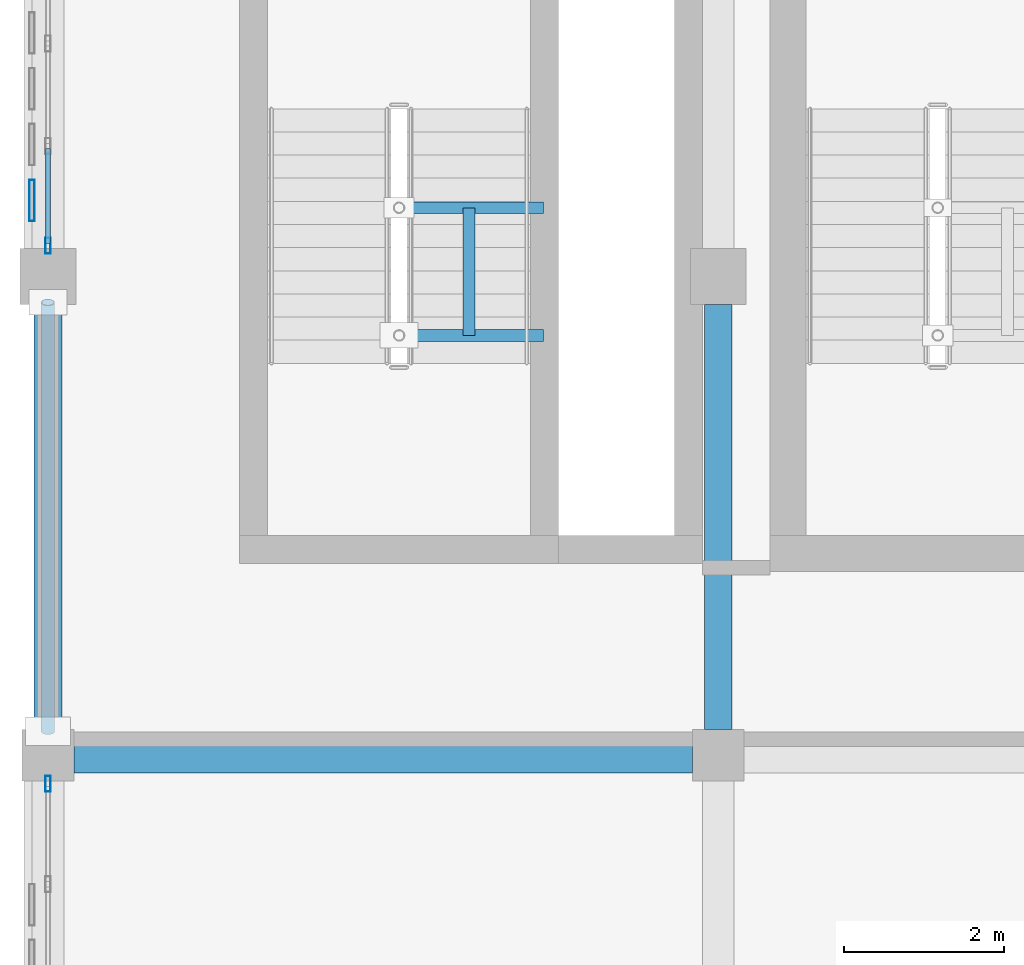
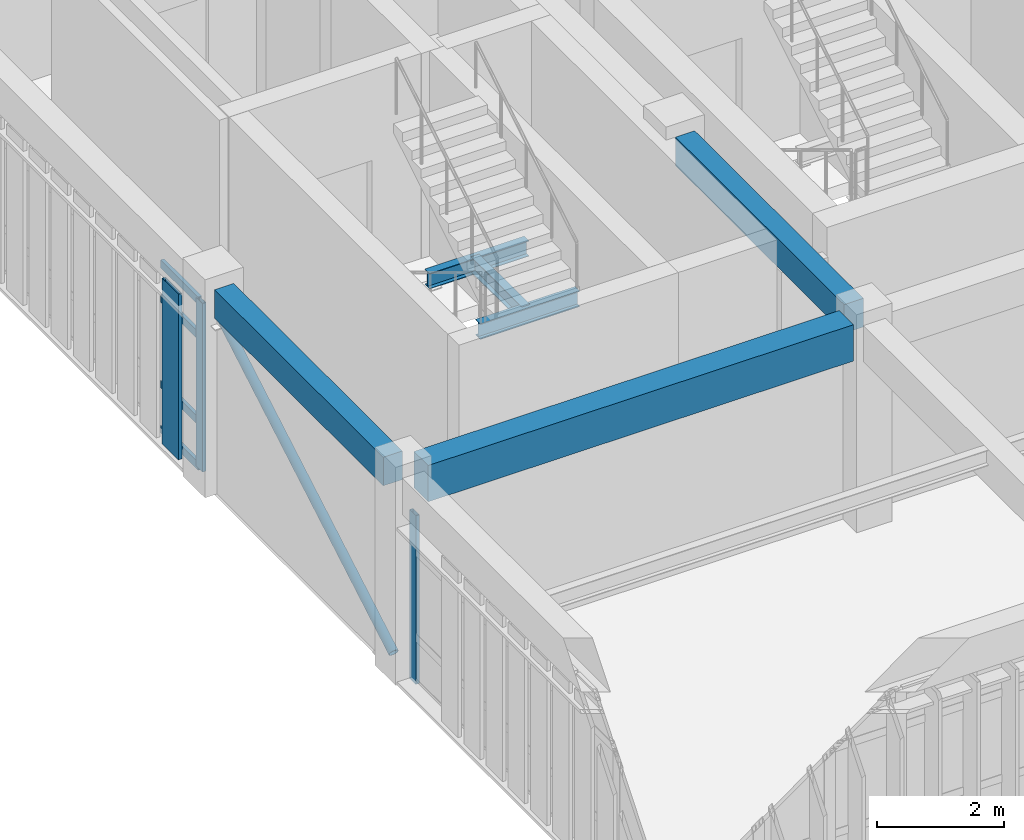
# One storey, part 7 of 23: 8 members, 6 beams, 2 elements without a shape of their own.
"""IFC4 building model written with IfcOpenShell, lengths in metres."""

from ifc_helpers import new_model, si_unit, direction, frame, origin, origin_2d, place, context, subcontext, project, spatial, rectangle, hollow_rectangle, hollow_circle, i_section, extrude, material, layer, layer_set, material_profile, profile_set, type_object, element, aggregate, save


model = new_model("IFC4")

# Units and contexts
model_context = context("Model", 3, precision=1e-05, world=origin(), true_north=direction((0.0, 1.0)))
body_context = subcontext(model_context, "Body", "Model", "MODEL_VIEW")
ifc_project = project(units=[si_unit("LENGTHUNIT", "METRE"), si_unit("AREAUNIT", "SQUARE_METRE"), si_unit("VOLUMEUNIT", "CUBIC_METRE"), si_unit("PLANEANGLEUNIT", "RADIAN"), si_unit("MASSUNIT", "GRAM", prefix="KILO")], contexts=[model_context])

# Site, building, storey
site_placement = place(None, origin())
site = spatial("IfcSite", under=ifc_project, at=site_placement, CompositionType="ELEMENT")
building_placement = place(site_placement, origin())
building = spatial("IfcBuilding", under=site, at=building_placement, Name="Krzemoval Escarpment Law Courts", CompositionType="ELEMENT")
storey_placement = place(building_placement, frame((0.0, 0.0, 33.60009765625)))
storey = spatial("IfcBuildingStorey", under=building, at=storey_placement, Name="L07", CompositionType="ELEMENT", Elevation=33.60009765625)

# Beams
ifc_material_1 = material(Name="Concrete C40/50", Category="concrete")
ifc_material_profile_1 = material_profile(ifc_material_1, rectangle(XDim=0.35009765625, YDim=0.550048828125, at=origin_2d()), Name="RCB 350x550")
ifc_profile_set_1 = profile_set([ifc_material_profile_1], Name="Concrete C40/50")
beam_type_1 = type_object("IfcBeamType", Name="BM-RC-350x550", PredefinedType="BEAM", material=ifc_profile_set_1)
for number, where, z_axis, x_axis, name in (
    (1, (126.0, 93.925048828125, 3.6748046875), (0.0, 1.0, 0.0), (-1.0, 0.0, 0.0), "Beam FG-L07-2715"),
    (2, (134.39990234375, 93.925048828125, 3.6748046875), (0.0, 1.0, 0.0), (-1.0, 0.0, 0.0), "Beam FG-L07-2720"),
):
    element("IfcBeam", number, at=place(storey_placement, frame(where, z_axis=z_axis, x_axis=x_axis)), inside=storey, type_object=beam_type_1, Name=name, PredefinedType="BEAM", context=body_context, shape_type="SweptSolid", body=[
        extrude(rectangle(XDim=0.35009765625, YDim=0.550048828125, at=origin_2d()), origin(), (0.0, 0.0, 1.0), 5.324951171875),
    ])
ifc_material_2 = material(Name="Concrete C40/50", Category="concrete")
ifc_material_profile_2 = material_profile(ifc_material_2, rectangle(XDim=0.449951171875, YDim=0.699951171875, at=origin_2d()), Name="RCB 450x700")
ifc_profile_set_2 = profile_set([ifc_material_profile_2], Name="Concrete C40/50")
beam_type_2 = type_object("IfcBeamType", Name="BM-RC-450x700", PredefinedType="BEAM", material=ifc_profile_set_2)
beam_1_placement = place(storey_placement, frame((126.324951171875, 93.60009765625, 3.599853515625), z_axis=(1.0, 0.0, 0.0), x_axis=(0.0, 1.0, 0.0)))
element("IfcBeam", 3, at=beam_1_placement, inside=storey, type_object=beam_type_2, Name="Beam FG-L07-2695", PredefinedType="BEAM", context=body_context, shape_type="SweptSolid", body=[
    extrude(rectangle(XDim=0.449951171875, YDim=0.699951171875, at=origin_2d()), origin(), (0.0, 0.0, 1.0), 7.75),
])

# Curtain wall, member
ifc_material_3 = material(Name="Aluminium 6063-T6", Category="aluminium")
ifc_layer = layer(ifc_material_3, 0.219970703125)
ifc_layer_set = layer_set([ifc_layer], Name="Aluminium 6063-T6")
curtain_wall_type = type_object("IfcCurtainWallType", Name="CW-CHMB-4200", PredefinedType="USERDEFINED", material=ifc_layer_set)
curtain_wall_1_placement = place(storey_placement, origin())
curtain_wall_1 = element("IfcCurtainWall", 4, at=curtain_wall_1_placement, inside=storey, type_object=curtain_wall_type, Name="Unitised Curtain Wall FCW-L07-155", ObjectType="UNITISED_CURTAIN_WALL", PredefinedType="USERDEFINED")
ifc_material_4 = material(Name="Aluminium 6063-T6", Category="aluminium")
ifc_material_profile_3 = material_profile(ifc_material_4, hollow_rectangle(XDim=0.06494140625, YDim=0.199951171875, WallThickness=0.00439453125, at=origin_2d()), Name="ALU M65x200")
ifc_profile_set_3 = profile_set([ifc_material_profile_3], Name="Aluminium 6063-T6")
member_type_1 = type_object("IfcMemberType", Name="CWM-65x200", PredefinedType="MULLION", material=ifc_profile_set_3)
member_1_placement = place(storey_placement, frame((126.0, 93.242431640625, 0.0), z_axis=(0.0, 0.0, 1.0), x_axis=(-1.0, 0.0, 0.0)))
member_1 = element("IfcMember", 5, at=member_1_placement, type_object=member_type_1, Name="FCW-L07-155 mullion 7", PredefinedType="MULLION", context=body_context, shape_type="SweptSolid", body=[
    extrude(hollow_rectangle(XDim=0.06494140625, YDim=0.199951171875, WallThickness=0.00439453125, at=origin_2d()), origin(), (0.0, 0.0, 1.0), 3.25),
])
aggregate(curtain_wall_1, [member_1])

# Curtain wall, members
curtain_wall_2_placement = place(storey_placement, origin())
curtain_wall_2 = element("IfcCurtainWall", 6, at=curtain_wall_2_placement, inside=storey, type_object=curtain_wall_type, Name="Unitised Curtain Wall FCW-L07-156", ObjectType="UNITISED_CURTAIN_WALL", PredefinedType="USERDEFINED")
member_2_placement = place(storey_placement, frame((126.0, 99.982421875, 0.0), z_axis=(0.0, 0.0, 1.0), x_axis=(-1.0, 0.0, 0.0)))
member_2 = element("IfcMember", 7, at=member_2_placement, type_object=member_type_1, Name="FCW-L07-156 mullion 1", PredefinedType="MULLION", context=body_context, shape_type="SweptSolid", body=[
    extrude(hollow_rectangle(XDim=0.06494140625, YDim=0.199951171875, WallThickness=0.00439453125, at=origin_2d()), origin(), (0.0, 0.0, 1.0), 3.25),
])
ifc_material_5 = material(Name="Aluminium 6063-T6", Category="aluminium")
ifc_material_profile_4 = material_profile(ifc_material_5, hollow_rectangle(XDim=0.06494140625, YDim=0.14990234375, WallThickness=0.00439453125, at=origin_2d()), Name="ALU T65x150")
ifc_profile_set_4 = profile_set([ifc_material_profile_4], Name="Aluminium 6063-T6")
member_type_2 = type_object("IfcMemberType", Name="CWT-65x150", PredefinedType="USERDEFINED", material=ifc_profile_set_4)
member_3_placement = place(storey_placement, frame((126.0, 100.014892578125, 0.032470703125), z_axis=(0.0, 1.0, 0.0), x_axis=(-1.0, 0.0, 0.0)))
member_3 = element("IfcMember", 8, at=member_3_placement, type_object=member_type_2, Name="FCW-L07-156 transom 1.1", ObjectType="TRANSOM", PredefinedType="USERDEFINED", context=body_context, shape_type="SweptSolid", body=[
    extrude(hollow_rectangle(XDim=0.06494140625, YDim=0.14990234375, WallThickness=0.00439453125, at=origin_2d()), origin(), (0.0, 0.0, 1.0), 1.18603515625),
])
member_4_placement = place(storey_placement, frame((126.0, 100.014892578125, 0.89990234375), z_axis=(0.0, 1.0, 0.0), x_axis=(-1.0, 0.0, 0.0)))
member_4 = element("IfcMember", 9, at=member_4_placement, type_object=member_type_2, Name="FCW-L07-156 transom 1.2", ObjectType="TRANSOM", PredefinedType="USERDEFINED", context=body_context, shape_type="SweptSolid", body=[
    extrude(hollow_rectangle(XDim=0.06494140625, YDim=0.14990234375, WallThickness=0.00439453125, at=origin_2d()), origin(), (0.0, 0.0, 1.0), 1.18603515625),
])
member_5_placement = place(storey_placement, frame((126.0, 100.014892578125, 2.5498046875), z_axis=(0.0, 1.0, 0.0), x_axis=(-1.0, 0.0, 0.0)))
member_5 = element("IfcMember", 10, at=member_5_placement, type_object=member_type_2, Name="FCW-L07-156 transom 1.3", ObjectType="TRANSOM", PredefinedType="USERDEFINED", context=body_context, shape_type="SweptSolid", body=[
    extrude(hollow_rectangle(XDim=0.06494140625, YDim=0.14990234375, WallThickness=0.00439453125, at=origin_2d()), origin(), (0.0, 0.0, 1.0), 1.18603515625),
])
member_6_placement = place(storey_placement, frame((126.0, 100.014892578125, 3.21728515625), z_axis=(0.0, 1.0, 0.0), x_axis=(-1.0, 0.0, 0.0)))
member_6 = element("IfcMember", 11, at=member_6_placement, type_object=member_type_2, Name="FCW-L07-156 transom 1.4", ObjectType="TRANSOM", PredefinedType="USERDEFINED", context=body_context, shape_type="SweptSolid", body=[
    extrude(hollow_rectangle(XDim=0.06494140625, YDim=0.14990234375, WallThickness=0.00439453125, at=origin_2d()), origin(), (0.0, 0.0, 1.0), 1.18603515625),
])
aggregate(curtain_wall_2, [member_2, member_3, member_4, member_5, member_6])

# Beams
ifc_material_6 = material(Name="Steel S355", Category="steel")
ifc_material_profile_5 = material_profile(ifc_material_6, i_section(OverallWidth=0.14990234375, OverallDepth=0.300048828125, WebThickness=0.007080078125, FlangeThickness=0.0107421875, at=origin_2d()), Name="IPE 300")
ifc_profile_set_5 = profile_set([ifc_material_profile_5], Name="Steel S355")
beam_type_3 = type_object("IfcBeamType", Name="JST-S355-IPE300", PredefinedType="JOIST", material=ifc_profile_set_5)
for number, where, z_axis, x_axis, name in (
    (12, (130.39990234375, 98.860107421875, 1.81982421875), (1.0, 0.0, 0.0), (0.0, 1.0, 0.0), "Stair Well Crosshead SLHW-C1-L07-1"),
    (13, (130.39990234375, 100.4599609375, 1.81982421875), (1.0, 0.0, 0.0), (0.0, 1.0, 0.0), "Stair Well Crosshead SLHW-C1-L07-2"),
):
    element("IfcBeam", number, at=place(storey_placement, frame(where, z_axis=z_axis, x_axis=x_axis)), inside=storey, type_object=beam_type_3, Name=name, PredefinedType="JOIST", context=body_context, shape_type="SweptSolid", body=[
        extrude(i_section(OverallWidth=0.14990234375, OverallDepth=0.300048828125, WebThickness=0.007080078125, FlangeThickness=0.0107421875, at=origin_2d()), origin(), (0.0, 0.0, 1.0), 1.81005859375),
    ])
beam_2_placement = place(storey_placement, frame((131.27490234375, 98.860107421875, 1.81982421875), z_axis=(0.0, 1.0, 0.0), x_axis=(-1.0, 0.0, 0.0)))
element("IfcBeam", 14, at=beam_2_placement, inside=storey, type_object=beam_type_3, Name="Stair Flight Support Stringer SLTW-C1-L07", PredefinedType="JOIST", context=body_context, shape_type="SweptSolid", body=[
    extrude(i_section(OverallWidth=0.14990234375, OverallDepth=0.300048828125, WebThickness=0.007080078125, FlangeThickness=0.0107421875, at=origin_2d()), origin(), (0.0, 0.0, 1.0), 1.599853515625),
])

# Members
ifc_material_7 = material(Name="Anodised Aluminium Alloy 6063-T6", Category="aluminium")
ifc_material_profile_6 = material_profile(ifc_material_7, hollow_rectangle(XDim=0.06494140625, YDim=0.52001953125, WallThickness=0.00439453125, at=origin_2d()), Name="ALU LVR 65x520")
ifc_profile_set_6 = profile_set([ifc_material_profile_6], Name="Anodised Aluminium Alloy 6063-T6")
member_type_3 = type_object("IfcMemberType", Name="LVR-ALU-520", PredefinedType="USERDEFINED", material=ifc_profile_set_6)
member_7_placement = place(storey_placement, frame((125.800048828125, 100.550048828125, 0.059814453125), z_axis=(0.0, 0.0, 1.0), x_axis=(1.0, 0.0, 0.0)))
element("IfcMember", 15, at=member_7_placement, inside=storey, type_object=member_type_3, Name="Sunshade Louvre Fin FLV-L07-1032", ObjectType="SUNSHADE_LOUVRE", PredefinedType="USERDEFINED", context=body_context, shape_type="SweptSolid", body=[
    extrude(hollow_rectangle(XDim=0.06494140625, YDim=0.52001953125, WallThickness=0.00439453125, at=origin_2d()), origin(), (0.0, 0.0, 1.0), 3.190185546875),
])
ifc_material_8 = material(Name="Steel S355", Category="steel")
ifc_material_profile_7 = material_profile(ifc_material_8, hollow_circle(Radius=0.084228515625, WallThickness=0.008056640625, at=origin_2d()), Name="CHS 168.3x8")
ifc_profile_set_7 = profile_set([ifc_material_profile_7], Name="Steel S355")
member_type_4 = type_object("IfcMemberType", Name="MBR-BRC-CHS168", PredefinedType="BRACE", material=ifc_profile_set_7)
member_8_placement = place(storey_placement, frame((126.0, 93.89990234375, 0.139892578125), z_axis=(0.0, 0.864148806287, 0.503236366525), x_axis=(-1.0, 0.0, 0.0)))
element("IfcMember", 16, at=member_8_placement, inside=storey, type_object=member_type_4, Name="Lateral Diagonal Brace BR-0252", PredefinedType="BRACE", context=body_context, shape_type="SweptSolid", body=[
    extrude(hollow_circle(Radius=0.084228515625, WallThickness=0.008056640625, at=origin_2d()), origin(), (0.0, 0.0, 1.0), 6.219970703125),
])

save(model, "model.ifc")
